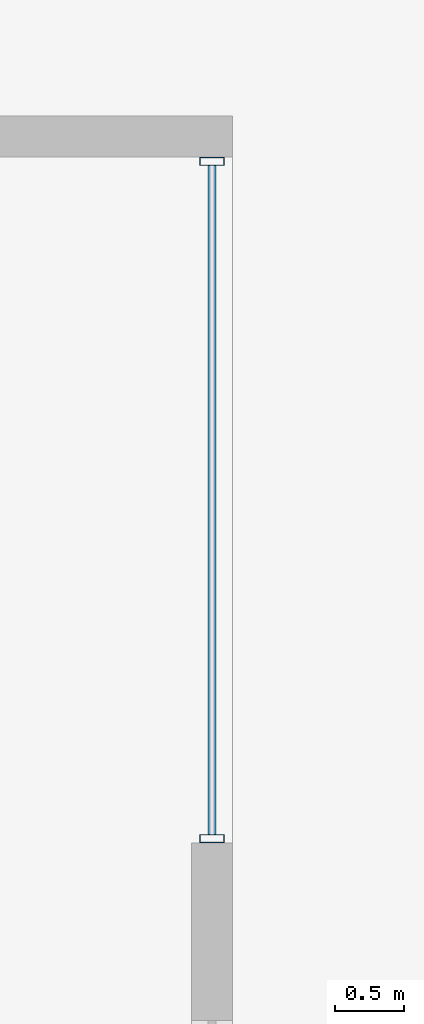
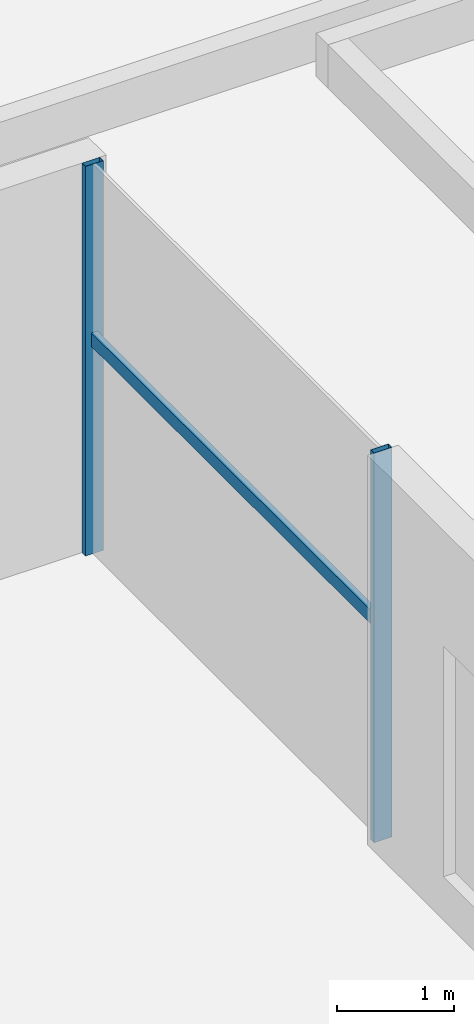
# One storey, part 12 of 26: 3 members, 1 element without a shape of its own.
"""IFC4 building model written with IfcOpenShell, lengths in metres."""

from ifc_helpers import new_model, si_unit, direction, frame, origin, origin_2d, place, context, subcontext, project, spatial, hollow_rectangle, extrude, material, material_profile, profile_set, type_object, element, aggregate, save


model = new_model("IFC4")

# Units and contexts
model_context = context("Model", 3, precision=1e-05, world=origin(), true_north=direction((0.0, 1.0)))
body_context = subcontext(model_context, "Body", "Model", "MODEL_VIEW")
ifc_project = project(units=[si_unit("LENGTHUNIT", "METRE"), si_unit("AREAUNIT", "SQUARE_METRE"), si_unit("VOLUMEUNIT", "CUBIC_METRE"), si_unit("PLANEANGLEUNIT", "RADIAN"), si_unit("MASSUNIT", "GRAM", prefix="KILO")], contexts=[model_context])

# Site, building, storey
site_placement = place(None, origin())
site = spatial("IfcSite", under=ifc_project, at=site_placement, CompositionType="ELEMENT")
building_placement = place(site_placement, origin())
building = spatial("IfcBuilding", under=site, at=building_placement, Name="Altepetl Exchange Towers", CompositionType="ELEMENT")
storey_placement = place(building_placement, frame((0.0, 0.0, 16.5)))
storey = spatial("IfcBuildingStorey", under=building, at=storey_placement, Name="L03 Podium terrace", CompositionType="ELEMENT", Elevation=16.5)

# Curtain wall, members
ifc_material_1 = material(Name="Aluminium 6063-T6 glazing", Category="aluminium")
curtain_wall_type = type_object("IfcCurtainWallType", Name="Podium storefront system", PredefinedType="NOTDEFINED", material=ifc_material_1)
curtain_wall_placement = place(storey_placement, origin())
curtain_wall = element("IfcCurtainWall", 1, at=curtain_wall_placement, inside=storey, type_object=curtain_wall_type, Name="CW5 run", PredefinedType="NOTDEFINED")
ifc_material_2 = material(Name="Aluminium 6063-T6", Category="aluminium")
ifc_material_profile_1 = material_profile(ifc_material_2, hollow_rectangle(XDim=0.06005859375, YDim=0.175048828125, WallThickness=0.0029296875, at=origin_2d()), Name="Mullion 60x175 aluminium")
ifc_profile_set_1 = profile_set([ifc_material_profile_1], Name="Aluminium 6063-T6")
member_type_1 = type_object("IfcMemberType", Name="Mullion 60x175 aluminium", PredefinedType="MULLION", material=ifc_profile_set_1)
member_1_placement = place(storey_placement, frame((125.85009765625, 66.7548828125, 0.0), z_axis=(0.0, 0.0, 1.0), x_axis=(0.0, 1.0, 0.0)))
member_1 = element("IfcMember", 2, at=member_1_placement, type_object=member_type_1, Name="MU4 mullion", PredefinedType="MULLION", context=body_context, shape_type="SweptSolid", body=[
    extrude(hollow_rectangle(XDim=0.06005859375, YDim=0.175048828125, WallThickness=0.0029296875, at=origin_2d()), origin(), (0.0, 0.0, 1.0), 4.050048828125),
])
member_2_placement = place(storey_placement, frame((125.85009765625, 71.669921875, 0.0), z_axis=(0.0, 0.0, 1.0), x_axis=(0.0, 1.0, 0.0)))
member_2 = element("IfcMember", 3, at=member_2_placement, type_object=member_type_1, Name="MU4 mullion", PredefinedType="MULLION", context=body_context, shape_type="SweptSolid", body=[
    extrude(hollow_rectangle(XDim=0.06005859375, YDim=0.175048828125, WallThickness=0.0029296875, at=origin_2d()), origin(), (0.0, 0.0, 1.0), 4.050048828125),
])
ifc_material_profile_2 = material_profile(ifc_material_2, hollow_rectangle(XDim=0.06005859375, YDim=0.139892578125, WallThickness=0.0029296875, at=origin_2d()), Name="Transom 60x140 aluminium")
ifc_profile_set_2 = profile_set([ifc_material_profile_2], Name="Aluminium 6063-T6")
member_type_2 = type_object("IfcMemberType", Name="Transom 60x140 aluminium", PredefinedType="USERDEFINED", material=ifc_profile_set_2)
member_3_placement = place(storey_placement, frame((125.85009765625, 66.784912109375, 2.22998046875), z_axis=(0.0, 1.0, 0.0), x_axis=(-1.0, 0.0, 0.0)))
member_3 = element("IfcMember", 4, at=member_3_placement, type_object=member_type_2, Name="TR3 transom", ObjectType="TRANSOM", PredefinedType="USERDEFINED", context=body_context, shape_type="SweptSolid", body=[
    extrude(hollow_rectangle(XDim=0.06005859375, YDim=0.139892578125, WallThickness=0.0029296875, at=origin_2d()), origin(), (0.0, 0.0, 1.0), 4.85498046875),
])
aggregate(curtain_wall, [member_1, member_2, member_3])

save(model, "model.ifc")
